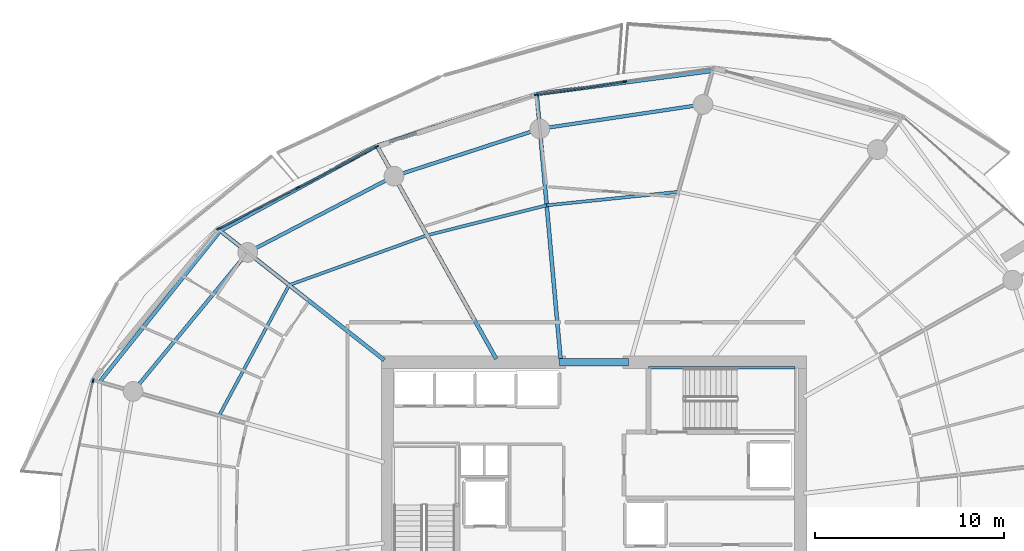
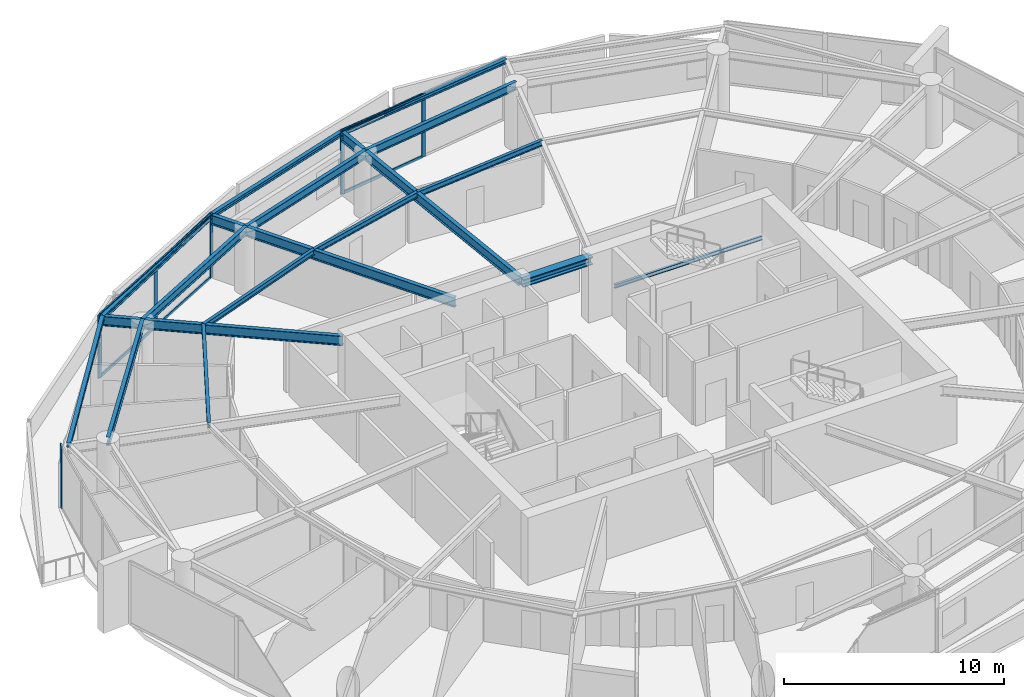
# One storey, part 8 of 20: 17 beams, 12 members, 3 elements without a shape of their own.
"""IFC4 building model written with IfcOpenShell, lengths in metres."""

from ifc_helpers import new_model, si_unit, direction, frame, origin, origin_2d, place, context, subcontext, project, spatial, rectangle, i_section, extrude, material, layer, layer_set, material_profile, profile_set, type_object, element, aggregate, save


model = new_model("IFC4")

# Units and contexts
model_context = context("Model", 3, precision=1e-05, world=origin(), true_north=direction((0.0, 1.0)))
body_context = subcontext(model_context, "Body", "Model", "MODEL_VIEW")
ifc_project = project(units=[si_unit("LENGTHUNIT", "METRE"), si_unit("AREAUNIT", "SQUARE_METRE"), si_unit("VOLUMEUNIT", "CUBIC_METRE"), si_unit("PLANEANGLEUNIT", "RADIAN"), si_unit("MASSUNIT", "GRAM", prefix="KILO")], contexts=[model_context])

# Site, building, storey
site_placement = place(None, origin())
site = spatial("IfcSite", under=ifc_project, at=site_placement, CompositionType="ELEMENT")
building_placement = place(site_placement, origin())
building = spatial("IfcBuilding", under=site, at=building_placement, Name="Kazma Halo Residences", CompositionType="ELEMENT")
storey_placement = place(building_placement, frame((0.0, 0.0, 217.800048828125)))
storey = spatial("IfcBuildingStorey", under=building, at=storey_placement, Name="L55", CompositionType="ELEMENT", Elevation=217.800048828125)

# Beams
ifc_material_1 = material(Name="Steel S355", Category="steel")
ifc_material_profile_1 = material_profile(ifc_material_1, i_section(OverallWidth=0.201904296875, OverallDepth=0.2470703125, WebThickness=0.00732421875, FlangeThickness=0.010986328125, FilletRadius=0.011962890625, at=origin_2d()), Name="W250x49.1")
ifc_profile_set_1 = profile_set([ifc_material_profile_1], Name="Steel S355")
beam_type_1 = type_object("IfcBeamType", Name="BM-BAL-CANT", PredefinedType="BEAM", material=ifc_profile_set_1)
beam_1_placement = place(storey_placement, frame((54.70458984375, 65.772216796875, 3.37646484375), z_axis=(-0.991401891123, -0.130852169558, 0.0), x_axis=(0.130852169558, -0.991401891123, 0.0)))
element("IfcBeam", 1, at=beam_1_placement, inside=storey, type_object=beam_type_1, Name="L55 wave-balcony tie beam 03", PredefinedType="BEAM", context=body_context, shape_type="SweptSolid", body=[
    extrude(i_section(OverallWidth=0.201904296875, OverallDepth=0.2470703125, WebThickness=0.00732421875, FlangeThickness=0.010986328125, FilletRadius=0.011962890625, at=origin_2d()), origin(), (0.0, 0.0, 1.0), 9.401611328125),
])
beam_2_placement = place(storey_placement, frame((45.3837890625, 64.5419921875, 3.37646484375), z_axis=(-0.951434599458, -0.307850942753, 0.0), x_axis=(0.307850942753, -0.951434599458, 0.0)))
element("IfcBeam", 2, at=beam_2_placement, inside=storey, type_object=beam_type_1, Name="L55 wave-balcony tie beam 04", PredefinedType="BEAM", context=body_context, shape_type="SweptSolid", body=[
    extrude(i_section(OverallWidth=0.201904296875, OverallDepth=0.2470703125, WebThickness=0.00732421875, FlangeThickness=0.010986328125, FilletRadius=0.011962890625, at=origin_2d()), origin(), (0.0, 0.0, 1.0), 8.905029296875),
])
beam_3_placement = place(storey_placement, frame((36.9111328125, 61.800537109375, 3.37646484375), z_axis=(-0.878890557257, -0.477023467309, 0.0), x_axis=(0.477023467309, -0.878890557257, 0.0)))
element("IfcBeam", 3, at=beam_3_placement, inside=storey, type_object=beam_type_1, Name="L55 wave-balcony tie beam 05", PredefinedType="BEAM", context=body_context, shape_type="SweptSolid", body=[
    extrude(i_section(OverallWidth=0.201904296875, OverallDepth=0.2470703125, WebThickness=0.00732421875, FlangeThickness=0.010986328125, FilletRadius=0.011962890625, at=origin_2d()), origin(), (0.0, 0.0, 1.0), 9.452880859375),
])
beam_4_placement = place(storey_placement, frame((28.60302734375, 57.291259765625, 3.37646484375), z_axis=(-0.624195724924, -0.781268005864, 0.0), x_axis=(0.781268005864, -0.624195724924, 0.0)))
element("IfcBeam", 4, at=beam_4_placement, inside=storey, type_object=beam_type_1, Name="L55 wave-balcony tie beam 06", PredefinedType="BEAM", context=body_context, shape_type="SweptSolid", body=[
    extrude(i_section(OverallWidth=0.201904296875, OverallDepth=0.2470703125, WebThickness=0.00732421875, FlangeThickness=0.010986328125, FilletRadius=0.011962890625, at=origin_2d()), origin(), (0.0, 0.0, 1.0), 10.258544921875),
])
ifc_material_profile_2 = material_profile(ifc_material_1, i_section(OverallWidth=0.408935546875, OverallDepth=0.425048828125, WebThickness=0.03271484375, FlangeThickness=0.052490234375, FilletRadius=0.02001953125, at=origin_2d()), Name="W360x421")
ifc_profile_set_2 = profile_set([ifc_material_profile_2], Name="Steel S355")
beam_type_2 = type_object("IfcBeamType", Name="BM-CORE-W360H", PredefinedType="BEAM", material=ifc_profile_set_2)
beam_5_placement = place(storey_placement, frame((46.60009765625, 50.324951171875, 3.287353515625), z_axis=(1.0, 0.0, 0.0), x_axis=(0.0, 1.0, 0.0)))
element("IfcBeam", 5, at=beam_5_placement, inside=storey, type_object=beam_type_2, Name="L55 core coupling beam N", PredefinedType="BEAM", context=body_context, shape_type="SweptSolid", body=[
    extrude(i_section(OverallWidth=0.408935546875, OverallDepth=0.425048828125, WebThickness=0.03271484375, FlangeThickness=0.052490234375, FilletRadius=0.02001953125, at=origin_2d()), origin(), (0.0, 0.0, 1.0), 3.64990234375),
])
ifc_material_profile_3 = material_profile(ifc_material_1, i_section(OverallWidth=0.208984375, OverallDepth=0.532958984375, WebThickness=0.01025390625, FlangeThickness=0.015625, FilletRadius=0.01611328125, at=origin_2d()), Name="W530x92")
ifc_profile_set_3 = profile_set([ifc_material_profile_3], Name="Steel S355")
beam_type_3 = type_object("IfcBeamType", Name="BM-RAD-W530", PredefinedType="BEAM", material=ifc_profile_set_3)
beam_6_placement = place(storey_placement, frame((46.64990234375, 50.5, 3.2333984375), z_axis=(-0.089801911205, 0.995959646142, 0.0), x_axis=(-0.995959646142, -0.089801911205, 0.0)))
element("IfcBeam", 6, at=beam_6_placement, inside=storey, type_object=beam_type_3, Name="L55 radial floor beam 04", PredefinedType="BEAM", context=body_context, shape_type="SweptSolid", body=[
    extrude(i_section(OverallWidth=0.208984375, OverallDepth=0.532958984375, WebThickness=0.01025390625, FlangeThickness=0.015625, FilletRadius=0.01611328125, at=origin_2d()), origin(), (0.0, 0.0, 1.0), 14.098876953125),
])
beam_7_placement = place(storey_placement, frame((43.23974609375, 50.5, 3.2333984375), z_axis=(-0.488621736368, 0.872495729931, 0.0), x_axis=(-0.872495729931, -0.488621736368, 0.0)))
element("IfcBeam", 7, at=beam_7_placement, inside=storey, type_object=beam_type_3, Name="L55 radial floor beam 05", PredefinedType="BEAM", context=body_context, shape_type="SweptSolid", body=[
    extrude(i_section(OverallWidth=0.208984375, OverallDepth=0.532958984375, WebThickness=0.01025390625, FlangeThickness=0.015625, FilletRadius=0.01611328125, at=origin_2d()), origin(), (0.0, 0.0, 1.0), 12.951904296875),
])
beam_8_placement = place(storey_placement, frame((37.300048828125, 50.435302734375, 3.2333984375), z_axis=(-0.785326671572, 0.619081593102, 0.0), x_axis=(-0.619081593102, -0.785326671572, 0.0)))
element("IfcBeam", 8, at=beam_8_placement, inside=storey, type_object=beam_type_3, Name="L55 radial floor beam 06", PredefinedType="BEAM", context=body_context, shape_type="SweptSolid", body=[
    extrude(i_section(OverallWidth=0.208984375, OverallDepth=0.532958984375, WebThickness=0.01025390625, FlangeThickness=0.015625, FilletRadius=0.01611328125, at=origin_2d()), origin(), (0.0, 0.0, 1.0), 11.074462890625),
])
ifc_material_profile_4 = material_profile(ifc_material_1, i_section(OverallWidth=0.1650390625, OverallDepth=0.31005859375, WebThickness=0.005859375, FlangeThickness=0.009765625, FilletRadius=0.011962890625, at=origin_2d()), Name="W310x38.7")
ifc_profile_set_4 = profile_set([ifc_material_profile_4], Name="Steel S355")
beam_type_4 = type_object("IfcBeamType", Name="BM-SEC-W310B", PredefinedType="JOIST", material=ifc_profile_set_4)
beam_9_placement = place(storey_placement, frame((52.8955078125, 59.35791015625, 3.344970703125), z_axis=(-0.994813898595, -0.101711883088, 0.0), x_axis=(0.101711883088, -0.994813898595, 0.0)))
element("IfcBeam", 9, at=beam_9_placement, inside=storey, type_object=beam_type_4, Name="L55 circumferential floor joist 03", PredefinedType="JOIST", context=body_context, shape_type="SweptSolid", body=[
    extrude(i_section(OverallWidth=0.1650390625, OverallDepth=0.31005859375, WebThickness=0.005859375, FlangeThickness=0.009765625, FilletRadius=0.011962890625, at=origin_2d()), origin(), (0.0, 0.0, 1.0), 7.01611328125),
])
beam_10_placement = place(storey_placement, frame((45.915771484375, 58.644287109375, 3.344970703125), z_axis=(-0.970019458253, -0.243027263102, 0.0), x_axis=(0.243027263102, -0.970019458253, 0.0)))
element("IfcBeam", 10, at=beam_10_placement, inside=storey, type_object=beam_type_4, Name="L55 circumferential floor joist 04", PredefinedType="JOIST", context=body_context, shape_type="SweptSolid", body=[
    extrude(i_section(OverallWidth=0.1650390625, OverallDepth=0.31005859375, WebThickness=0.005859375, FlangeThickness=0.009765625, FilletRadius=0.011962890625, at=origin_2d()), origin(), (0.0, 0.0, 1.0), 6.542724609375),
])
beam_11_placement = place(storey_placement, frame((39.569091796875, 57.05419921875, 3.344970703125), z_axis=(-0.940484507564, -0.339836565177, 0.0), x_axis=(0.339836565177, -0.940484507564, 0.0)))
element("IfcBeam", 11, at=beam_11_placement, inside=storey, type_object=beam_type_4, Name="L55 circumferential floor joist 05", PredefinedType="JOIST", context=body_context, shape_type="SweptSolid", body=[
    extrude(i_section(OverallWidth=0.1650390625, OverallDepth=0.31005859375, WebThickness=0.005859375, FlangeThickness=0.009765625, FilletRadius=0.011962890625, at=origin_2d()), origin(), (0.0, 0.0, 1.0), 7.776123046875),
])
beam_12_placement = place(storey_placement, frame((32.255859375, 54.41162109375, 3.344970703125), z_axis=(-0.472683532566, -0.881232249774, 0.0), x_axis=(0.881232249774, -0.472683532566, 0.0)))
element("IfcBeam", 12, at=beam_12_placement, inside=storey, type_object=beam_type_4, Name="L55 circumferential floor joist 06", PredefinedType="JOIST", context=body_context, shape_type="SweptSolid", body=[
    extrude(i_section(OverallWidth=0.1650390625, OverallDepth=0.31005859375, WebThickness=0.005859375, FlangeThickness=0.009765625, FilletRadius=0.011962890625, at=origin_2d()), origin(), (0.0, 0.0, 1.0), 7.85693359375),
])
ifc_material_profile_5 = material_profile(ifc_material_1, i_section(OverallWidth=0.18994140625, OverallDepth=0.45703125, WebThickness=0.009033203125, FlangeThickness=0.014404296875, FilletRadius=0.01611328125, at=origin_2d()), Name="W460x74")
ifc_profile_set_5 = profile_set([ifc_material_profile_5], Name="Steel S355")
beam_type_5 = type_object("IfcBeamType", Name="BM-SPN-W460", PredefinedType="BEAM", material=ifc_profile_set_5)
beam_13_placement = place(storey_placement, frame((54.202392578125, 63.99169921875, 3.271484375), z_axis=(-0.98903439143, -0.147685383732, 0.0), x_axis=(0.147685383732, -0.98903439143, 0.0)))
element("IfcBeam", 13, at=beam_13_placement, inside=storey, type_object=beam_type_5, Name="L55 perimeter ring beam 03", PredefinedType="BEAM", context=body_context, shape_type="SweptSolid", body=[
    extrude(i_section(OverallWidth=0.18994140625, OverallDepth=0.45703125, WebThickness=0.009033203125, FlangeThickness=0.014404296875, FilletRadius=0.01611328125, at=origin_2d()), origin(), (0.0, 0.0, 1.0), 8.748291015625),
])
beam_14_placement = place(storey_placement, frame((45.550048828125, 62.69970703125, 3.271484375), z_axis=(-0.951048627281, -0.30904127321, 0.0), x_axis=(0.30904127321, -0.951048627281, 0.0)))
element("IfcBeam", 14, at=beam_14_placement, inside=storey, type_object=beam_type_5, Name="L55 perimeter ring beam 04", PredefinedType="BEAM", context=body_context, shape_type="SweptSolid", body=[
    extrude(i_section(OverallWidth=0.18994140625, OverallDepth=0.45703125, WebThickness=0.009033203125, FlangeThickness=0.014404296875, FilletRadius=0.01611328125, at=origin_2d()), origin(), (0.0, 0.0, 1.0), 8.133056640625),
])
beam_15_placement = place(storey_placement, frame((37.815185546875, 60.186279296875, 3.271484375), z_axis=(-0.886961243394, -0.461843861838, 0.0), x_axis=(0.461843861838, -0.886961243394, 0.0)))
element("IfcBeam", 15, at=beam_15_placement, inside=storey, type_object=beam_type_5, Name="L55 perimeter ring beam 05", PredefinedType="BEAM", context=body_context, shape_type="SweptSolid", body=[
    extrude(i_section(OverallWidth=0.18994140625, OverallDepth=0.45703125, WebThickness=0.009033203125, FlangeThickness=0.014404296875, FilletRadius=0.01611328125, at=origin_2d()), origin(), (0.0, 0.0, 1.0), 8.748046875),
])
beam_16_placement = place(storey_placement, frame((30.055908203125, 56.14599609375, 3.271484375), z_axis=(-0.63601715545, -0.771674917289, 0.0), x_axis=(0.771674917289, -0.63601715545, 0.0)))
element("IfcBeam", 16, at=beam_16_placement, inside=storey, type_object=beam_type_5, Name="L55 perimeter ring beam 06", PredefinedType="BEAM", context=body_context, shape_type="SweptSolid", body=[
    extrude(i_section(OverallWidth=0.18994140625, OverallDepth=0.45703125, WebThickness=0.009033203125, FlangeThickness=0.014404296875, FilletRadius=0.01611328125, at=origin_2d()), origin(), (0.0, 0.0, 1.0), 9.552734375),
])
ifc_material_profile_6 = material_profile(ifc_material_1, i_section(OverallWidth=0.133056640625, OverallDepth=0.20703125, WebThickness=0.005859375, FlangeThickness=0.00830078125, FilletRadius=0.010009765625, at=origin_2d()), Name="W200x26.6")
ifc_profile_set_6 = profile_set([ifc_material_profile_6], Name="Steel S355")
beam_type_6 = type_object("IfcBeamType", Name="BM-TRIM-W200", PredefinedType="BEAM", material=ifc_profile_set_6)
beam_17_placement = place(storey_placement, frame((51.31005859375, 50.02001953125, 1.570068359375), z_axis=(1.0, 0.0, 0.0), x_axis=(0.0, 1.0, 0.0)))
element("IfcBeam", 17, at=beam_17_placement, inside=storey, type_object=beam_type_6, Name="L55 ST-02 landing north wall ledger", PredefinedType="BEAM", context=body_context, shape_type="SweptSolid", body=[
    extrude(i_section(OverallWidth=0.133056640625, OverallDepth=0.20703125, WebThickness=0.005859375, FlangeThickness=0.00830078125, FilletRadius=0.010009765625, at=origin_2d()), origin(), (0.0, 0.0, 1.0), 7.760009765625),
])

# Curtain wall, members
ifc_material_2 = material(Name="Aluminium AW-6063 T6 and Triple-Silver Low-E Glass", Category="aluminium")
ifc_layer = layer(ifc_material_2, 0.219970703125)
ifc_layer_set = layer_set([ifc_layer], Name="Aluminium AW-6063 T6 and Triple-Silver Low-E Glass")
curtain_wall_type = type_object("IfcCurtainWallType", Name="CW-SYS-4", PredefinedType="NOTDEFINED", material=ifc_layer_set)
curtain_wall_1_placement = place(storey_placement, origin())
curtain_wall_1 = element("IfcCurtainWall", 18, at=curtain_wall_1_placement, inside=storey, type_object=curtain_wall_type, Name="L55 unitised curtain wall B03", PredefinedType="NOTDEFINED")
ifc_material_3 = material(Name="Aluminium AW-6063 T6", Category="aluminium")
ifc_material_profile_7 = material_profile(ifc_material_3, rectangle(XDim=0.074951171875, YDim=0.219970703125, at=origin_2d()), Name="CWM-75x220")
ifc_profile_set_7 = profile_set([ifc_material_profile_7], Name="Aluminium AW-6063 T6")
member_type_1 = type_object("IfcMemberType", Name="CW-SYS-4-MUL", PredefinedType="MULLION", material=ifc_profile_set_7)
member_1_placement = place(storey_placement, frame((50.041259765625, 65.211181640625, 0.0), z_axis=(0.0, 0.0, 1.0), x_axis=(0.148772639188, -0.988871428361, 0.0)))
member_1 = element("IfcMember", 19, at=member_1_placement, type_object=member_type_1, Name="CWS-4 mullion 2", PredefinedType="MULLION", context=body_context, shape_type="SweptSolid", body=[
    extrude(rectangle(XDim=0.074951171875, YDim=0.219970703125, at=origin_2d()), origin(), (0.0, 0.0, 1.0), 3.5),
])
member_2_placement = place(storey_placement, frame((45.373779296875, 64.509033203125, 0.0), z_axis=(0.0, 0.0, 1.0), x_axis=(0.148772639188, -0.988871428361, 0.0)))
member_2 = element("IfcMember", 20, at=member_2_placement, type_object=member_type_1, Name="CWS-4 mullion 3", PredefinedType="MULLION", context=body_context, shape_type="SweptSolid", body=[
    extrude(rectangle(XDim=0.074951171875, YDim=0.219970703125, at=origin_2d()), origin(), (0.0, 0.0, 1.0), 3.5),
])

curtain_wall_2_placement = place(storey_placement, origin())
curtain_wall_2 = element("IfcCurtainWall", 21, at=curtain_wall_2_placement, inside=storey, type_object=curtain_wall_type, Name="L55 unitised curtain wall B05", PredefinedType="NOTDEFINED")
member_3_placement = place(storey_placement, frame((36.894287109375, 61.75390625, 0.0), z_axis=(0.0, 0.0, 1.0), x_axis=(0.460873851097, -0.887465657575, 0.0)))
member_3 = element("IfcMember", 22, at=member_3_placement, type_object=member_type_1, Name="CWS-4 mullion 1", PredefinedType="MULLION", context=body_context, shape_type="SweptSolid", body=[
    extrude(rectangle(XDim=0.074951171875, YDim=0.219970703125, at=origin_2d()), origin(), (0.0, 0.0, 1.0), 3.5),
])
member_4_placement = place(storey_placement, frame((32.705322265625, 59.578369140625, 0.0), z_axis=(0.0, 0.0, 1.0), x_axis=(0.460873851097, -0.887465657575, 0.0)))
member_4 = element("IfcMember", 23, at=member_4_placement, type_object=member_type_1, Name="CWS-4 mullion 2", PredefinedType="MULLION", context=body_context, shape_type="SweptSolid", body=[
    extrude(rectangle(XDim=0.074951171875, YDim=0.219970703125, at=origin_2d()), origin(), (0.0, 0.0, 1.0), 3.5),
])
member_5_placement = place(storey_placement, frame((28.5166015625, 57.403076171875, 0.0), z_axis=(0.0, 0.0, 1.0), x_axis=(0.460873851097, -0.887465657575, 0.0)))
member_5 = element("IfcMember", 24, at=member_5_placement, type_object=member_type_1, Name="CWS-4 mullion 3", PredefinedType="MULLION", context=body_context, shape_type="SweptSolid", body=[
    extrude(rectangle(XDim=0.074951171875, YDim=0.219970703125, at=origin_2d()), origin(), (0.0, 0.0, 1.0), 3.5),
])

# Curtain wall, member
curtain_wall_3_placement = place(storey_placement, origin())
curtain_wall_3 = element("IfcCurtainWall", 25, at=curtain_wall_3_placement, inside=storey, type_object=curtain_wall_type, Name="L55 unitised curtain wall B07", PredefinedType="NOTDEFINED")
member_6_placement = place(storey_placement, frame((21.8564453125, 49.334228515625, 0.0), z_axis=(0.0, 0.0, 1.0), x_axis=(0.977768017212, -0.209689543175, 0.0)))
member_6 = element("IfcMember", 26, at=member_6_placement, type_object=member_type_1, Name="CWS-4 mullion 1", PredefinedType="MULLION", context=body_context, shape_type="SweptSolid", body=[
    extrude(rectangle(XDim=0.074951171875, YDim=0.219970703125, at=origin_2d()), origin(), (0.0, 0.0, 1.0), 3.5),
])
aggregate(curtain_wall_3, [member_6])

# Member
ifc_material_profile_8 = material_profile(ifc_material_3, rectangle(XDim=0.074951171875, YDim=0.1650390625, at=origin_2d()), Name="CWT-75x165")
ifc_profile_set_8 = profile_set([ifc_material_profile_8], Name="Aluminium AW-6063 T6")
member_type_2 = type_object("IfcMemberType", Name="CW-SYS-4-TRN", PredefinedType="USERDEFINED", material=ifc_profile_set_8)
member_7_placement = place(storey_placement, frame((50.004150390625, 65.20556640625, 0.037353515625), z_axis=(-0.988876518566, -0.148738801357, 0.0), x_axis=(0.148738801357, -0.988876518566, 0.0)))
member_7 = element("IfcMember", 27, at=member_7_placement, type_object=member_type_2, Name="CWS-4 transom 2.1", ObjectType="TRANSOM", PredefinedType="USERDEFINED", context=body_context, shape_type="SweptSolid", body=[
    extrude(rectangle(XDim=0.074951171875, YDim=0.1650390625, at=origin_2d()), origin(), (0.0, 0.0, 1.0), 4.645263671875),
])

member_8_placement = place(storey_placement, frame((50.004150390625, 65.20556640625, 3.46240234375), z_axis=(-0.988876518566, -0.148738801357, 0.0), x_axis=(0.148738801357, -0.988876518566, 0.0)))
member_8 = element("IfcMember", 28, at=member_8_placement, type_object=member_type_2, Name="CWS-4 transom 2.2", ObjectType="TRANSOM", PredefinedType="USERDEFINED", context=body_context, shape_type="SweptSolid", body=[
    extrude(rectangle(XDim=0.074951171875, YDim=0.1650390625, at=origin_2d()), origin(), (0.0, 0.0, 1.0), 4.645263671875),
])

aggregate(curtain_wall_1, [member_1, member_2, member_7, member_8])

member_9_placement = place(storey_placement, frame((36.861083984375, 61.736572265625, 0.037353515625), z_axis=(-0.887457630519, -0.460889307789, 0.0), x_axis=(0.460889307789, -0.887457630519, 0.0)))
member_9 = element("IfcMember", 29, at=member_9_placement, type_object=member_type_2, Name="CWS-4 transom 1.1", ObjectType="TRANSOM", PredefinedType="USERDEFINED", context=body_context, shape_type="SweptSolid", body=[
    extrude(rectangle(XDim=0.074951171875, YDim=0.1650390625, at=origin_2d()), origin(), (0.0, 0.0, 1.0), 4.64501953125),
])

member_10_placement = place(storey_placement, frame((36.861083984375, 61.736572265625, 3.46240234375), z_axis=(-0.887457630519, -0.460889307789, 0.0), x_axis=(0.460889307789, -0.887457630519, 0.0)))
member_10 = element("IfcMember", 30, at=member_10_placement, type_object=member_type_2, Name="CWS-4 transom 1.2", ObjectType="TRANSOM", PredefinedType="USERDEFINED", context=body_context, shape_type="SweptSolid", body=[
    extrude(rectangle(XDim=0.074951171875, YDim=0.1650390625, at=origin_2d()), origin(), (0.0, 0.0, 1.0), 4.64501953125),
])

member_11_placement = place(storey_placement, frame((32.672119140625, 59.561279296875, 0.037353515625), z_axis=(-0.887457630519, -0.460889307789, 0.0), x_axis=(0.460889307789, -0.887457630519, 0.0)))
member_11 = element("IfcMember", 31, at=member_11_placement, type_object=member_type_2, Name="CWS-4 transom 2.1", ObjectType="TRANSOM", PredefinedType="USERDEFINED", context=body_context, shape_type="SweptSolid", body=[
    extrude(rectangle(XDim=0.074951171875, YDim=0.1650390625, at=origin_2d()), origin(), (0.0, 0.0, 1.0), 4.64501953125),
])

member_12_placement = place(storey_placement, frame((32.672119140625, 59.561279296875, 3.46240234375), z_axis=(-0.887457630519, -0.460889307789, 0.0), x_axis=(0.460889307789, -0.887457630519, 0.0)))
member_12 = element("IfcMember", 32, at=member_12_placement, type_object=member_type_2, Name="CWS-4 transom 2.2", ObjectType="TRANSOM", PredefinedType="USERDEFINED", context=body_context, shape_type="SweptSolid", body=[
    extrude(rectangle(XDim=0.074951171875, YDim=0.1650390625, at=origin_2d()), origin(), (0.0, 0.0, 1.0), 4.64501953125),
])

aggregate(curtain_wall_2, [member_3, member_4, member_5, member_9, member_10, member_11, member_12])

save(model, "model.ifc")
